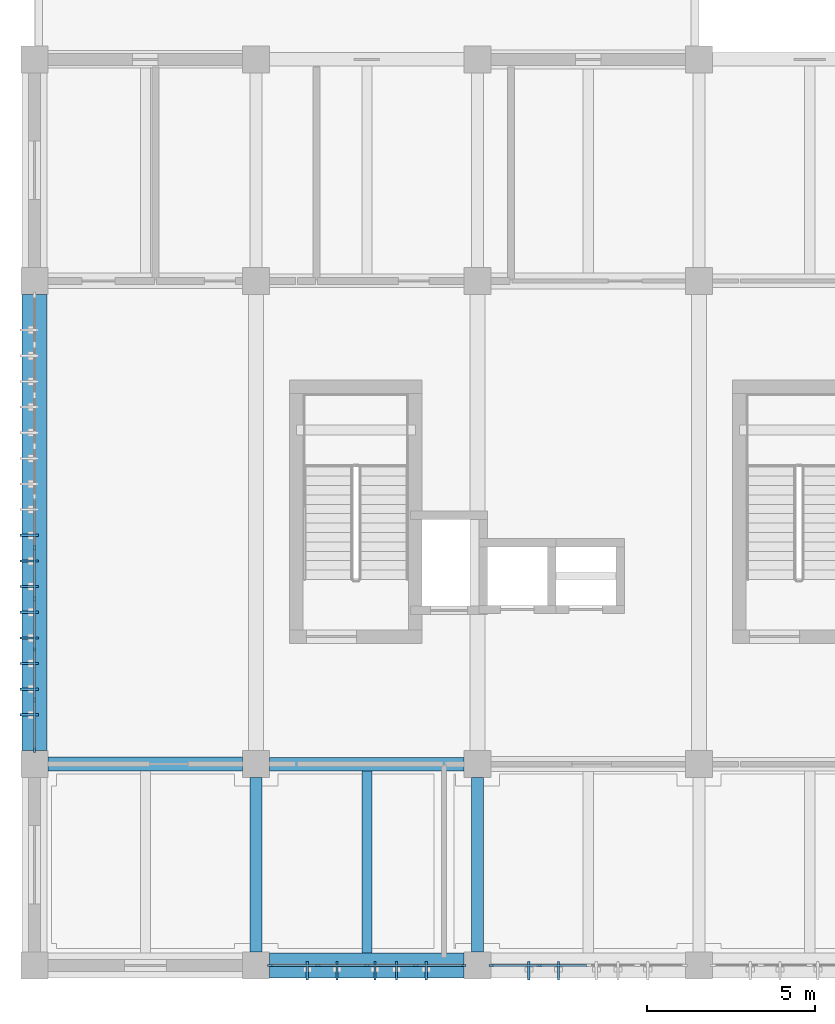
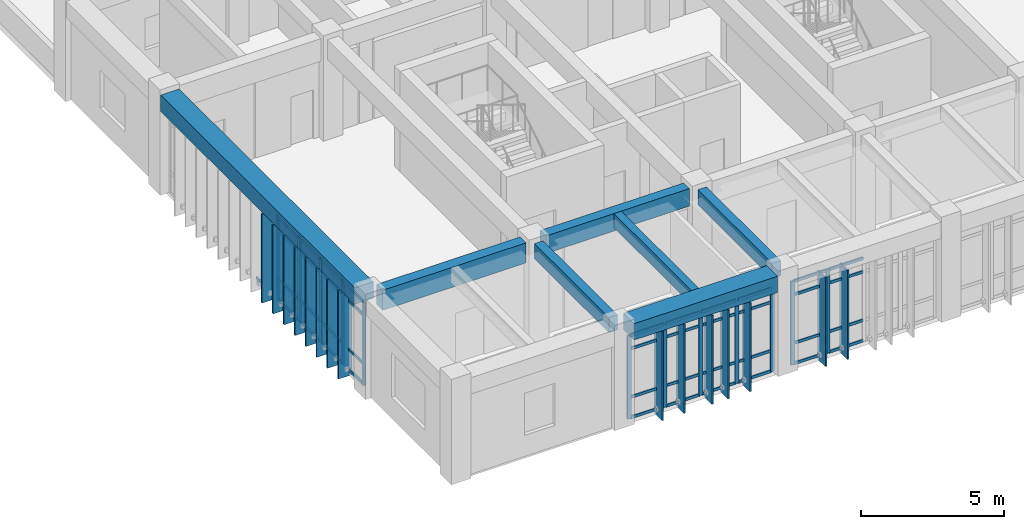
# One storey, part 2 of 18: 68 members, 7 beams, 3 elements without a shape of their own.
"""IFC4 building model written with IfcOpenShell, lengths in metres."""

import ifcopenshell
import ifcopenshell.guid

model = None  # the IFC model being written
_history = None  # IfcOwnerHistory: only IFC2X3 demands one
_inside = {}  # id of a spatial element -> (the spatial element, [elements in it])
_under = {}  # id of a project, library or spatial element -> (it, [spatial elements below it])
_declared = {}  # id of a project -> (the project, [libraries it declares])
_typed = {}  # id of a type object -> (the type object, [elements of that type])
_made_of = {}  # id of a material, layer set ... -> (it, [elements and type objects made of it])


def new_model(schema):
    """Start an empty IFC model of exactly this schema.

    Asked for "IFC4X3", IfcOpenShell would pick the latest addendum, in which some entities
    have other attributes; the version numbers below select the first issue.
    IFC2X3 requires an IfcOwnerHistory on every rooted entity: one is made here for all.
    """
    global model, _history
    if schema == "IFC4X3":
        model = ifcopenshell.file(schema_version=(4, 3, 0, 0))
    else:
        model = ifcopenshell.file(schema=schema)
    _inside.clear()
    _under.clear()
    _declared.clear()
    _typed.clear()
    _made_of.clear()
    _history = None
    if model.schema == "IFC2X3":
        org = make("IfcOrganization", Name="unknown")
        user = make(
            "IfcPersonAndOrganization",
            ThePerson=make("IfcPerson", FamilyName="unknown"),
            TheOrganization=org,
        )
        app = make(
            "IfcApplication",
            ApplicationDeveloper=org,
            Version="unknown",
            ApplicationFullName="unknown",
            ApplicationIdentifier="unknown",
        )
        _history = make(
            "IfcOwnerHistory",
            OwningUser=user,
            OwningApplication=app,
            ChangeAction="ADDED",
            CreationDate=0,
        )
    return model


def make(cls, **values):
    """One entity of the class cls with the attributes given. An attribute that is None is left unset."""
    return model.create_entity(
        cls, **{name: value for name, value in values.items() if value is not None}
    )


def rooted(cls, **values):
    """An entity with a GlobalId (a new one), such as an element, a storey or a relation."""
    return make(cls, GlobalId=ifcopenshell.guid.new(), OwnerHistory=_history, **values)


def si_unit(unit_type, name, prefix=None):
    """IfcSIUnit, for example si_unit("LENGTHUNIT", "METRE", prefix="MILLI")."""
    return make("IfcSIUnit", UnitType=unit_type, Prefix=prefix, Name=name)


def assignment(units):
    """IfcUnitAssignment: the units of a project."""
    return None if units is None else make("IfcUnitAssignment", Units=units)


def point(xyz):
    """IfcCartesianPoint."""
    return None if xyz is None else make("IfcCartesianPoint", Coordinates=xyz)


def direction(xyz):
    """IfcDirection."""
    return None if xyz is None else make("IfcDirection", DirectionRatios=xyz)


def frame(location, z_axis=None, x_axis=None):
    """IfcAxis2Placement3D, a coordinate frame: its origin and axes. An axis left out is left unset."""
    return make(
        "IfcAxis2Placement3D",
        Location=point(location),
        Axis=direction(z_axis),
        RefDirection=direction(x_axis),
    )


def frame_2d(location, x_axis=None):
    """IfcAxis2Placement2D, a coordinate frame in the plane: its origin and x axis."""
    return make(
        "IfcAxis2Placement2D", Location=point(location), RefDirection=direction(x_axis)
    )


def origin():
    """The frame at (0, 0, 0) with its axes left unset."""
    return frame((0.0, 0.0, 0.0))


def origin_2d():
    """The frame at (0, 0) in the plane with its x axis left unset."""
    return frame_2d((0.0, 0.0))


def place(relative_to, where):
    """IfcLocalPlacement: puts the frame where relative to a parent placement (None: the world)."""
    return make(
        "IfcLocalPlacement", PlacementRelTo=relative_to, RelativePlacement=where
    )


def context(
    kind, dimensions, precision=None, world=None, true_north=None, identifier=None
):
    """IfcGeometricRepresentationContext, for example the 3D "Model" context."""
    return make(
        "IfcGeometricRepresentationContext",
        ContextIdentifier=identifier,
        ContextType=kind,
        CoordinateSpaceDimension=dimensions,
        Precision=precision,
        WorldCoordinateSystem=world,
        TrueNorth=true_north,
    )


def subcontext(parent, identifier, kind, view, scale=None):
    """IfcGeometricRepresentationSubContext, for example "Body" below "Model"."""
    return make(
        "IfcGeometricRepresentationSubContext",
        ContextIdentifier=identifier,
        ContextType=kind,
        ParentContext=parent,
        TargetScale=scale,
        TargetView=view,
    )


def project(units=None, contexts=None):
    """IfcProject with its units and contexts."""
    return rooted(
        "IfcProject",
        Name="project",
        RepresentationContexts=contexts,
        UnitsInContext=assignment(units),
    )


def spatial(cls, under=None, at=None, **own):
    """A site, building, storey or space (cls), placed at a placement, below another one or the project."""
    s = rooted(cls, ObjectPlacement=at, **own)
    if under is not None:
        _under.setdefault(under.id(), (under, []))[1].append(s)
    return s


def profile(cls, at=None, kind="AREA", **sizes):
    """A parametric profile (cls). Its sizes go by their IFC names, for example OverallWidth=200.0."""
    return make(cls, ProfileType=kind, Position=at, **sizes)


def rectangle(**sizes):
    """IfcRectangleProfileDef."""
    return profile("IfcRectangleProfileDef", **sizes)


def extrude(swept, where, along, depth):
    """IfcExtrudedAreaSolid: the profile swept, set in the frame where, extruded along a direction by depth."""
    return make(
        "IfcExtrudedAreaSolid",
        SweptArea=swept,
        Position=where,
        ExtrudedDirection=direction(along),
        Depth=depth,
    )


def shape(context_of_items, identifier, shape_type, items):
    """IfcShapeRepresentation: the items that make up one representation, for example the "Body"."""
    return make(
        "IfcShapeRepresentation",
        ContextOfItems=context_of_items,
        RepresentationIdentifier=identifier,
        RepresentationType=shape_type,
        Items=items,
    )


def material(Name=None, Category=None):
    """IfcMaterial."""
    return make("IfcMaterial", Name=Name, Category=Category)


def layer(
    of_material, thickness, ventilated=None, Name=None, Category=None, Priority=None
):
    """IfcMaterialLayer: one layer of a wall or slab, of a material (None: an air gap)."""
    return make(
        "IfcMaterialLayer",
        Material=of_material,
        LayerThickness=thickness,
        IsVentilated=ventilated,
        Name=Name,
        Category=Category,
        Priority=Priority,
    )


def layer_set(layers, Name=None):
    """IfcMaterialLayerSet."""
    return make("IfcMaterialLayerSet", MaterialLayers=layers, LayerSetName=Name)


def material_profile(
    of_material, cross_section, Name=None, Category=None, Priority=None
):
    """IfcMaterialProfile: a cross section and its material."""
    return make(
        "IfcMaterialProfile",
        Name=Name,
        Material=of_material,
        Profile=cross_section,
        Priority=Priority,
        Category=Category,
    )


def profile_set(profiles, Name=None, composite=None):
    """IfcMaterialProfileSet."""
    return make(
        "IfcMaterialProfileSet",
        Name=Name,
        MaterialProfiles=profiles,
        CompositeProfile=composite,
    )


def made_of(thing, what):
    """Note that an element or type object is made of a material, layer set ...; save() writes the relation."""
    if what is not None:
        _made_of.setdefault(what.id(), (what, []))[1].append(thing)
    return thing


def type_object(cls, material=None, **own):
    """A type object (cls), such as IfcWallType, which elements share."""
    return made_of(rooted(cls, **own), material)


def element(
    cls,
    number,
    at=None,
    inside=None,
    cuts=None,
    type_object=None,
    material=None,
    context=None,
    identifier="Body",
    shape_type=None,
    held_by="IfcProductDefinitionShape",
    body=None,
    shapes=None,
    **own,
):
    """One element of the class cls, such as IfcWall. Its Tag is "e" and its number.

    at: its placement. inside: the storey or other place that contains it. cuts: it is an
    opening in that element (IfcRelVoidsElement). A single representation is given by context,
    identifier, shape_type and body (its items); several are given by shapes. held_by: the class
    of the entity that holds the representations. save() writes the other relations.
    """
    e = rooted(cls, Tag="e%d" % number, ObjectPlacement=at, **own)
    if body is not None:
        shapes = [shape(context, identifier, shape_type, body)]
    if shapes is not None:
        e.Representation = make(held_by, Representations=shapes)
    if inside is not None:
        _inside.setdefault(inside.id(), (inside, []))[1].append(e)
    if cuts is not None:
        rooted(
            "IfcRelVoidsElement", RelatingBuildingElement=cuts, RelatedOpeningElement=e
        )
    if type_object is not None:
        _typed.setdefault(type_object.id(), (type_object, []))[1].append(e)
    return made_of(e, material)


def aggregate(whole, parts):
    """IfcRelAggregates: a whole, such as a stair, and the parts it consists of."""
    return rooted("IfcRelAggregates", RelatingObject=whole, RelatedObjects=parts)


def save(model, path):
    """Write the relations noted so far, then the file.

    IfcRelAggregates (storeys below a building ...), IfcRelContainedInSpatialStructure (elements
    in a storey), IfcRelDefinesByType, IfcRelAssociatesMaterial and IfcRelDeclares: one each for
    every whole, place, type object, material and project.
    """
    for whole, parts in _under.values():
        aggregate(whole, parts)
    for where, things in _inside.values():
        rooted(
            "IfcRelContainedInSpatialStructure",
            RelatedElements=things,
            RelatingStructure=where,
        )
    for kind, things in _typed.values():
        rooted("IfcRelDefinesByType", RelatedObjects=things, RelatingType=kind)
    for what, things in _made_of.values():
        rooted("IfcRelAssociatesMaterial", RelatedObjects=things, RelatingMaterial=what)
    for by, libraries in _declared.values():
        rooted("IfcRelDeclares", RelatingContext=by, RelatedDefinitions=libraries)
    model.write(path)


model = new_model("IFC4")

# Units and contexts
model_context = context("Model", 3, precision=1e-05, world=origin(), true_north=direction((0.0, 1.0)))
body_context = subcontext(model_context, "Body", "Model", "MODEL_VIEW")
ifc_project = project(units=[si_unit("LENGTHUNIT", "METRE"), si_unit("AREAUNIT", "SQUARE_METRE"), si_unit("VOLUMEUNIT", "CUBIC_METRE"), si_unit("PLANEANGLEUNIT", "RADIAN"), si_unit("MASSUNIT", "GRAM", prefix="KILO")], contexts=[model_context])

# Site, building, storey
site_placement = place(None, origin())
site = spatial("IfcSite", under=ifc_project, at=site_placement, CompositionType="ELEMENT")
building_placement = place(site_placement, origin())
building = spatial("IfcBuilding", under=site, at=building_placement, Name="Miralva Faculty of Natural Sciences", CompositionType="ELEMENT")
storey_placement = place(building_placement, frame((0.0, 0.0, 28.5)))
storey = spatial("IfcBuildingStorey", under=building, at=storey_placement, Name="L06", CompositionType="ELEMENT", Elevation=28.5)

# Beams
ifc_material_1 = material(Name="Concrete C40/50", Category="concrete")
ifc_material_profile_1 = material_profile(ifc_material_1, rectangle(XDim=0.39990234375, YDim=0.75, at=origin_2d()), Name="RC 400x750")
ifc_profile_set_1 = profile_set([ifc_material_profile_1], Name="Concrete C40/50")
beam_type_1 = type_object("IfcBeamType", Name="BM-B03", PredefinedType="BEAM", material=ifc_profile_set_1)
beam_1_placement = place(storey_placement, frame((10.0, 9.0, 3.905029296875), z_axis=(1.0, 0.0, 0.0), x_axis=(0.0, 1.0, 0.0)))
element("IfcBeam", 1, at=beam_1_placement, inside=storey, type_object=beam_type_1, Name="Girder EW L06-6", PredefinedType="BEAM", context=body_context, shape_type="SweptSolid", body=[
    extrude(rectangle(XDim=0.39990234375, YDim=0.75, at=origin_2d()), origin(), (0.0, 0.0, 1.0), 5.800048828125),
])
ifc_material_profile_2 = material_profile(ifc_material_1, rectangle(XDim=0.35009765625, YDim=0.64990234375, at=origin_2d()), Name="RC 350x650")
ifc_profile_set_2 = profile_set([ifc_material_profile_2], Name="Concrete C40/50")
beam_type_2 = type_object("IfcBeamType", Name="BM-B05", PredefinedType="BEAM", material=ifc_profile_set_2)
for number, where, z_axis, x_axis, name in (
    (2, (9.60009765625, 3.39990234375, 3.955078125), (0.0, 1.0, 0.0), (-1.0, 0.0, 0.0), "Girder NS L06-31"),
    (3, (16.199951171875, 3.39990234375, 3.955078125), (0.0, 1.0, 0.0), (-1.0, 0.0, 0.0), "Girder NS L06-37"),
):
    element("IfcBeam", number, at=place(storey_placement, frame(where, z_axis=z_axis, x_axis=x_axis)), inside=storey, type_object=beam_type_2, Name=name, PredefinedType="BEAM", context=body_context, shape_type="SweptSolid", body=[
        extrude(rectangle(XDim=0.35009765625, YDim=0.64990234375, at=origin_2d()), origin(), (0.0, 0.0, 1.0), 5.2001953125),
    ])
ifc_material_profile_3 = material_profile(ifc_material_1, rectangle(XDim=0.419921875, YDim=0.860107421875, at=origin_2d()), Name="RC 420x860")
ifc_profile_set_3 = profile_set([ifc_material_profile_3], Name="Concrete C40/50")
beam_type_3 = type_object("IfcBeamType", Name="BM-BG12", PredefinedType="BEAM", material=ifc_profile_set_3)
beam_2_placement = place(storey_placement, frame((3.39990234375, 9.0, 3.85009765625), z_axis=(1.0, 0.0, 0.0), x_axis=(0.0, 1.0, 0.0)))
element("IfcBeam", 4, at=beam_2_placement, inside=storey, type_object=beam_type_3, Name="Girder EW L06-5", PredefinedType="BEAM", context=body_context, shape_type="SweptSolid", body=[
    extrude(rectangle(XDim=0.419921875, YDim=0.860107421875, at=origin_2d()), origin(), (0.0, 0.0, 1.0), 5.800048828125),
])
ifc_material_profile_4 = material_profile(ifc_material_1, rectangle(XDim=0.300048828125, YDim=0.60009765625, at=origin_2d()), Name="RC 300x600")
ifc_profile_set_4 = profile_set([ifc_material_profile_4], Name="Concrete C40/50")
beam_type_4 = type_object("IfcBeamType", Name="BM-J01", PredefinedType="JOIST", material=ifc_profile_set_4)
beam_3_placement = place(storey_placement, frame((12.89990234375, 3.375, 3.97998046875), z_axis=(0.0, 1.0, 0.0), x_axis=(-1.0, 0.0, 0.0)))
element("IfcBeam", 5, at=beam_3_placement, inside=storey, type_object=beam_type_4, Name="Floor joist L06-2", PredefinedType="JOIST", context=body_context, shape_type="SweptSolid", body=[
    extrude(rectangle(XDim=0.300048828125, YDim=0.60009765625, at=origin_2d()), origin(), (0.0, 0.0, 1.0), 5.425048828125),
])
ifc_material_profile_5 = material_profile(ifc_material_1, rectangle(XDim=0.75, YDim=0.699951171875, at=origin_2d()), Name="RC 750x700")
ifc_profile_set_5 = profile_set([ifc_material_profile_5], Name="Concrete C40/50")
beam_type_5 = type_object("IfcBeamType", Name="BM-SP01", PredefinedType="SPANDREL", material=ifc_profile_set_5)
beam_4_placement = place(storey_placement, frame((10.0, 3.0, 3.929931640625), z_axis=(1.0, 0.0, 0.0), x_axis=(0.0, 1.0, 0.0)))
element("IfcBeam", 6, at=beam_4_placement, inside=storey, type_object=beam_type_5, Name="Girder EW L06-2", PredefinedType="SPANDREL", context=body_context, shape_type="SweptSolid", body=[
    extrude(rectangle(XDim=0.75, YDim=0.699951171875, at=origin_2d()), origin(), (0.0, 0.0, 1.0), 5.800048828125),
])
beam_5_placement = place(storey_placement, frame((3.0, 9.39990234375, 3.929931640625), z_axis=(0.0, 1.0, 0.0), x_axis=(-1.0, 0.0, 0.0)))
element("IfcBeam", 7, at=beam_5_placement, inside=storey, type_object=beam_type_5, Name="Girder NS L06-26", PredefinedType="SPANDREL", context=body_context, shape_type="SweptSolid", body=[
    extrude(rectangle(XDim=0.75, YDim=0.699951171875, at=origin_2d()), origin(), (0.0, 0.0, 1.0), 13.60009765625),
])

# Curtain wall, members
ifc_material_2 = material(Name="Laminated solar-control glass", Category="glass")
ifc_layer = layer(ifc_material_2, 0.179931640625, Name="CW-TWR-L03")
ifc_layer_set = layer_set([ifc_layer], Name="Laminated solar-control glass")
curtain_wall_type = type_object("IfcCurtainWallType", Name="CW-TWR-L03", PredefinedType="USERDEFINED", material=ifc_layer_set)
curtain_wall_1_placement = place(storey_placement, origin())
curtain_wall_1 = element("IfcCurtainWall", 8, at=curtain_wall_1_placement, inside=storey, type_object=curtain_wall_type, Name="Curtain wall CW-14 L06-239", ObjectType="UNITISED CURTAIN WALL", PredefinedType="USERDEFINED")
ifc_material_3 = material(Name="Anodised aluminium", Category="aluminium")
ifc_material_profile_6 = material_profile(ifc_material_3, rectangle(XDim=0.06494140625, YDim=0.159912109375, at=origin_2d()), Name="MULLION 65x160")
ifc_profile_set_6 = profile_set([ifc_material_profile_6], Name="Anodised aluminium")
member_type_1 = type_object("IfcMemberType", Name="CW-M02", PredefinedType="MULLION", material=ifc_profile_set_6)
member_1_placement = place(storey_placement, frame((10.017578125, 3.0, 0.0), z_axis=(0.0, 0.0, 1.0), x_axis=(0.0, 1.0, 0.0)))
member_1 = element("IfcMember", 9, at=member_1_placement, type_object=member_type_1, Name="CW-14 mullion 1", PredefinedType="MULLION", context=body_context, shape_type="SweptSolid", body=[
    extrude(rectangle(XDim=0.06494140625, YDim=0.159912109375, at=origin_2d()), origin(), (0.0, 0.0, 1.0), 3.574951171875),
])
member_2_placement = place(storey_placement, frame((11.4423828125, 3.0, 0.0), z_axis=(0.0, 0.0, 1.0), x_axis=(0.0, 1.0, 0.0)))
member_2 = element("IfcMember", 10, at=member_2_placement, type_object=member_type_1, Name="CW-14 mullion 2", PredefinedType="MULLION", context=body_context, shape_type="SweptSolid", body=[
    extrude(rectangle(XDim=0.06494140625, YDim=0.159912109375, at=origin_2d()), origin(), (0.0, 0.0, 1.0), 3.574951171875),
])
member_3_placement = place(storey_placement, frame((12.89990234375, 3.0, 0.0), z_axis=(0.0, 0.0, 1.0), x_axis=(0.0, 1.0, 0.0)))
member_3 = element("IfcMember", 11, at=member_3_placement, type_object=member_type_1, Name="CW-14 mullion 3", PredefinedType="MULLION", context=body_context, shape_type="SweptSolid", body=[
    extrude(rectangle(XDim=0.06494140625, YDim=0.159912109375, at=origin_2d()), origin(), (0.0, 0.0, 1.0), 3.574951171875),
])
member_4_placement = place(storey_placement, frame((14.357421875, 3.0, 0.0), z_axis=(0.0, 0.0, 1.0), x_axis=(0.0, 1.0, 0.0)))
member_4 = element("IfcMember", 12, at=member_4_placement, type_object=member_type_1, Name="CW-14 mullion 4", PredefinedType="MULLION", context=body_context, shape_type="SweptSolid", body=[
    extrude(rectangle(XDim=0.06494140625, YDim=0.159912109375, at=origin_2d()), origin(), (0.0, 0.0, 1.0), 3.574951171875),
])
member_5_placement = place(storey_placement, frame((15.782470703125, 3.0, 0.0), z_axis=(0.0, 0.0, 1.0), x_axis=(0.0, 1.0, 0.0)))
member_5 = element("IfcMember", 13, at=member_5_placement, type_object=member_type_1, Name="CW-14 mullion 5", PredefinedType="MULLION", context=body_context, shape_type="SweptSolid", body=[
    extrude(rectangle(XDim=0.06494140625, YDim=0.159912109375, at=origin_2d()), origin(), (0.0, 0.0, 1.0), 3.574951171875),
])

curtain_wall_2_placement = place(storey_placement, origin())
curtain_wall_2 = element("IfcCurtainWall", 14, at=curtain_wall_2_placement, inside=storey, type_object=curtain_wall_type, Name="Curtain wall CW-14 L06-240", ObjectType="UNITISED CURTAIN WALL", PredefinedType="USERDEFINED")
member_6_placement = place(storey_placement, frame((16.617431640625, 3.0, 0.0), z_axis=(0.0, 0.0, 1.0), x_axis=(0.0, 1.0, 0.0)))
member_6 = element("IfcMember", 15, at=member_6_placement, type_object=member_type_1, Name="CW-14 mullion 1", PredefinedType="MULLION", context=body_context, shape_type="SweptSolid", body=[
    extrude(rectangle(XDim=0.06494140625, YDim=0.159912109375, at=origin_2d()), origin(), (0.0, 0.0, 1.0), 3.574951171875),
])
member_7_placement = place(storey_placement, frame((18.04248046875, 3.0, 0.0), z_axis=(0.0, 0.0, 1.0), x_axis=(0.0, 1.0, 0.0)))
member_7 = element("IfcMember", 16, at=member_7_placement, type_object=member_type_1, Name="CW-14 mullion 2", PredefinedType="MULLION", context=body_context, shape_type="SweptSolid", body=[
    extrude(rectangle(XDim=0.06494140625, YDim=0.159912109375, at=origin_2d()), origin(), (0.0, 0.0, 1.0), 3.574951171875),
])

curtain_wall_3_placement = place(storey_placement, origin())
curtain_wall_3 = element("IfcCurtainWall", 17, at=curtain_wall_3_placement, inside=storey, type_object=curtain_wall_type, Name="Curtain wall CW-14 L06-242", ObjectType="UNITISED CURTAIN WALL", PredefinedType="USERDEFINED")
member_8_placement = place(storey_placement, frame((3.0, 9.41748046875, 0.0), z_axis=(0.0, 0.0, 1.0), x_axis=(-1.0, 0.0, 0.0)))
member_8 = element("IfcMember", 18, at=member_8_placement, type_object=member_type_1, Name="CW-14 mullion 1", PredefinedType="MULLION", context=body_context, shape_type="SweptSolid", body=[
    extrude(rectangle(XDim=0.06494140625, YDim=0.159912109375, at=origin_2d()), origin(), (0.0, 0.0, 1.0), 3.574951171875),
])
member_9_placement = place(storey_placement, frame((3.0, 10.8994140625, 0.0), z_axis=(0.0, 0.0, 1.0), x_axis=(-1.0, 0.0, 0.0)))
member_9 = element("IfcMember", 19, at=member_9_placement, type_object=member_type_1, Name="CW-14 mullion 2", PredefinedType="MULLION", context=body_context, shape_type="SweptSolid", body=[
    extrude(rectangle(XDim=0.06494140625, YDim=0.159912109375, at=origin_2d()), origin(), (0.0, 0.0, 1.0), 3.574951171875),
])
member_10_placement = place(storey_placement, frame((3.0, 12.413818359375, 0.0), z_axis=(0.0, 0.0, 1.0), x_axis=(-1.0, 0.0, 0.0)))
member_10 = element("IfcMember", 20, at=member_10_placement, type_object=member_type_1, Name="CW-14 mullion 3", PredefinedType="MULLION", context=body_context, shape_type="SweptSolid", body=[
    extrude(rectangle(XDim=0.06494140625, YDim=0.159912109375, at=origin_2d()), origin(), (0.0, 0.0, 1.0), 3.574951171875),
])
member_11_placement = place(storey_placement, frame((3.0, 13.92822265625, 0.0), z_axis=(0.0, 0.0, 1.0), x_axis=(-1.0, 0.0, 0.0)))
member_11 = element("IfcMember", 21, at=member_11_placement, type_object=member_type_1, Name="CW-14 mullion 4", PredefinedType="MULLION", context=body_context, shape_type="SweptSolid", body=[
    extrude(rectangle(XDim=0.06494140625, YDim=0.159912109375, at=origin_2d()), origin(), (0.0, 0.0, 1.0), 3.574951171875),
])
member_12_placement = place(storey_placement, frame((3.0, 15.44287109375, 0.0), z_axis=(0.0, 0.0, 1.0), x_axis=(-1.0, 0.0, 0.0)))
member_12 = element("IfcMember", 22, at=member_12_placement, type_object=member_type_1, Name="CW-14 mullion 5", PredefinedType="MULLION", context=body_context, shape_type="SweptSolid", body=[
    extrude(rectangle(XDim=0.06494140625, YDim=0.159912109375, at=origin_2d()), origin(), (0.0, 0.0, 1.0), 3.574951171875),
])

# Member
ifc_material_profile_7 = material_profile(ifc_material_3, rectangle(XDim=0.06005859375, YDim=0.1201171875, at=origin_2d()), Name="TRANSOM 60x120")
ifc_profile_set_7 = profile_set([ifc_material_profile_7], Name="Anodised aluminium")
member_type_2 = type_object("IfcMemberType", Name="CW-T02", PredefinedType="USERDEFINED", material=ifc_profile_set_7)
member_13_placement = place(storey_placement, frame((10.050048828125, 3.0, 0.030029296875), z_axis=(1.0, 0.0, 0.0), x_axis=(0.0, 1.0, 0.0)))
member_13 = element("IfcMember", 23, at=member_13_placement, type_object=member_type_2, Name="CW-14 transom 1.1", ObjectType="TRANSOM", PredefinedType="USERDEFINED", context=body_context, shape_type="SweptSolid", body=[
    extrude(rectangle(XDim=0.06005859375, YDim=0.1201171875, at=origin_2d()), origin(), (0.0, 0.0, 1.0), 1.35986328125),
])

member_14_placement = place(storey_placement, frame((10.050048828125, 3.0, 0.89990234375), z_axis=(1.0, 0.0, 0.0), x_axis=(0.0, 1.0, 0.0)))
member_14 = element("IfcMember", 24, at=member_14_placement, type_object=member_type_2, Name="CW-14 transom 1.2", ObjectType="TRANSOM", PredefinedType="USERDEFINED", context=body_context, shape_type="SweptSolid", body=[
    extrude(rectangle(XDim=0.06005859375, YDim=0.1201171875, at=origin_2d()), origin(), (0.0, 0.0, 1.0), 1.35986328125),
])

member_15_placement = place(storey_placement, frame((10.050048828125, 3.0, 2.97509765625), z_axis=(1.0, 0.0, 0.0), x_axis=(0.0, 1.0, 0.0)))
member_15 = element("IfcMember", 25, at=member_15_placement, type_object=member_type_2, Name="CW-14 transom 1.3", ObjectType="TRANSOM", PredefinedType="USERDEFINED", context=body_context, shape_type="SweptSolid", body=[
    extrude(rectangle(XDim=0.06005859375, YDim=0.1201171875, at=origin_2d()), origin(), (0.0, 0.0, 1.0), 1.35986328125),
])

member_16_placement = place(storey_placement, frame((10.050048828125, 3.0, 3.544921875), z_axis=(1.0, 0.0, 0.0), x_axis=(0.0, 1.0, 0.0)))
member_16 = element("IfcMember", 26, at=member_16_placement, type_object=member_type_2, Name="CW-14 transom 1.4", ObjectType="TRANSOM", PredefinedType="USERDEFINED", context=body_context, shape_type="SweptSolid", body=[
    extrude(rectangle(XDim=0.06005859375, YDim=0.1201171875, at=origin_2d()), origin(), (0.0, 0.0, 1.0), 1.35986328125),
])

member_17_placement = place(storey_placement, frame((11.47509765625, 3.0, 0.030029296875), z_axis=(1.0, 0.0, 0.0), x_axis=(0.0, 1.0, 0.0)))
member_17 = element("IfcMember", 27, at=member_17_placement, type_object=member_type_2, Name="CW-14 transom 2.1", ObjectType="TRANSOM", PredefinedType="USERDEFINED", context=body_context, shape_type="SweptSolid", body=[
    extrude(rectangle(XDim=0.06005859375, YDim=0.1201171875, at=origin_2d()), origin(), (0.0, 0.0, 1.0), 1.392333984375),
])

member_18_placement = place(storey_placement, frame((11.47509765625, 3.0, 0.89990234375), z_axis=(1.0, 0.0, 0.0), x_axis=(0.0, 1.0, 0.0)))
member_18 = element("IfcMember", 28, at=member_18_placement, type_object=member_type_2, Name="CW-14 transom 2.2", ObjectType="TRANSOM", PredefinedType="USERDEFINED", context=body_context, shape_type="SweptSolid", body=[
    extrude(rectangle(XDim=0.06005859375, YDim=0.1201171875, at=origin_2d()), origin(), (0.0, 0.0, 1.0), 1.392333984375),
])

member_19_placement = place(storey_placement, frame((11.47509765625, 3.0, 2.97509765625), z_axis=(1.0, 0.0, 0.0), x_axis=(0.0, 1.0, 0.0)))
member_19 = element("IfcMember", 29, at=member_19_placement, type_object=member_type_2, Name="CW-14 transom 2.3", ObjectType="TRANSOM", PredefinedType="USERDEFINED", context=body_context, shape_type="SweptSolid", body=[
    extrude(rectangle(XDim=0.06005859375, YDim=0.1201171875, at=origin_2d()), origin(), (0.0, 0.0, 1.0), 1.392333984375),
])

member_20_placement = place(storey_placement, frame((11.47509765625, 3.0, 3.544921875), z_axis=(1.0, 0.0, 0.0), x_axis=(0.0, 1.0, 0.0)))
member_20 = element("IfcMember", 30, at=member_20_placement, type_object=member_type_2, Name="CW-14 transom 2.4", ObjectType="TRANSOM", PredefinedType="USERDEFINED", context=body_context, shape_type="SweptSolid", body=[
    extrude(rectangle(XDim=0.06005859375, YDim=0.1201171875, at=origin_2d()), origin(), (0.0, 0.0, 1.0), 1.392333984375),
])

member_21_placement = place(storey_placement, frame((12.9326171875, 3.0, 0.030029296875), z_axis=(1.0, 0.0, 0.0), x_axis=(0.0, 1.0, 0.0)))
member_21 = element("IfcMember", 31, at=member_21_placement, type_object=member_type_2, Name="CW-14 transom 3.1", ObjectType="TRANSOM", PredefinedType="USERDEFINED", context=body_context, shape_type="SweptSolid", body=[
    extrude(rectangle(XDim=0.06005859375, YDim=0.1201171875, at=origin_2d()), origin(), (0.0, 0.0, 1.0), 1.392333984375),
])

member_22_placement = place(storey_placement, frame((12.9326171875, 3.0, 0.89990234375), z_axis=(1.0, 0.0, 0.0), x_axis=(0.0, 1.0, 0.0)))
member_22 = element("IfcMember", 32, at=member_22_placement, type_object=member_type_2, Name="CW-14 transom 3.2", ObjectType="TRANSOM", PredefinedType="USERDEFINED", context=body_context, shape_type="SweptSolid", body=[
    extrude(rectangle(XDim=0.06005859375, YDim=0.1201171875, at=origin_2d()), origin(), (0.0, 0.0, 1.0), 1.392333984375),
])

member_23_placement = place(storey_placement, frame((12.9326171875, 3.0, 2.97509765625), z_axis=(1.0, 0.0, 0.0), x_axis=(0.0, 1.0, 0.0)))
member_23 = element("IfcMember", 33, at=member_23_placement, type_object=member_type_2, Name="CW-14 transom 3.3", ObjectType="TRANSOM", PredefinedType="USERDEFINED", context=body_context, shape_type="SweptSolid", body=[
    extrude(rectangle(XDim=0.06005859375, YDim=0.1201171875, at=origin_2d()), origin(), (0.0, 0.0, 1.0), 1.392333984375),
])

member_24_placement = place(storey_placement, frame((12.9326171875, 3.0, 3.544921875), z_axis=(1.0, 0.0, 0.0), x_axis=(0.0, 1.0, 0.0)))
member_24 = element("IfcMember", 34, at=member_24_placement, type_object=member_type_2, Name="CW-14 transom 3.4", ObjectType="TRANSOM", PredefinedType="USERDEFINED", context=body_context, shape_type="SweptSolid", body=[
    extrude(rectangle(XDim=0.06005859375, YDim=0.1201171875, at=origin_2d()), origin(), (0.0, 0.0, 1.0), 1.392333984375),
])

member_25_placement = place(storey_placement, frame((14.389892578125, 3.0, 0.030029296875), z_axis=(1.0, 0.0, 0.0), x_axis=(0.0, 1.0, 0.0)))
member_25 = element("IfcMember", 35, at=member_25_placement, type_object=member_type_2, Name="CW-14 transom 4.1", ObjectType="TRANSOM", PredefinedType="USERDEFINED", context=body_context, shape_type="SweptSolid", body=[
    extrude(rectangle(XDim=0.06005859375, YDim=0.1201171875, at=origin_2d()), origin(), (0.0, 0.0, 1.0), 1.360107421875),
])

member_26_placement = place(storey_placement, frame((14.389892578125, 3.0, 0.89990234375), z_axis=(1.0, 0.0, 0.0), x_axis=(0.0, 1.0, 0.0)))
member_26 = element("IfcMember", 36, at=member_26_placement, type_object=member_type_2, Name="CW-14 transom 4.2", ObjectType="TRANSOM", PredefinedType="USERDEFINED", context=body_context, shape_type="SweptSolid", body=[
    extrude(rectangle(XDim=0.06005859375, YDim=0.1201171875, at=origin_2d()), origin(), (0.0, 0.0, 1.0), 1.360107421875),
])

member_27_placement = place(storey_placement, frame((14.389892578125, 3.0, 2.97509765625), z_axis=(1.0, 0.0, 0.0), x_axis=(0.0, 1.0, 0.0)))
member_27 = element("IfcMember", 37, at=member_27_placement, type_object=member_type_2, Name="CW-14 transom 4.3", ObjectType="TRANSOM", PredefinedType="USERDEFINED", context=body_context, shape_type="SweptSolid", body=[
    extrude(rectangle(XDim=0.06005859375, YDim=0.1201171875, at=origin_2d()), origin(), (0.0, 0.0, 1.0), 1.360107421875),
])

member_28_placement = place(storey_placement, frame((14.389892578125, 3.0, 3.544921875), z_axis=(1.0, 0.0, 0.0), x_axis=(0.0, 1.0, 0.0)))
member_28 = element("IfcMember", 38, at=member_28_placement, type_object=member_type_2, Name="CW-14 transom 4.4", ObjectType="TRANSOM", PredefinedType="USERDEFINED", context=body_context, shape_type="SweptSolid", body=[
    extrude(rectangle(XDim=0.06005859375, YDim=0.1201171875, at=origin_2d()), origin(), (0.0, 0.0, 1.0), 1.360107421875),
])

aggregate(curtain_wall_1, [member_1, member_2, member_3, member_4, member_5, member_13, member_14, member_15, member_16, member_17, member_18, member_19, member_20, member_21, member_22, member_23, member_24, member_25, member_26, member_27, member_28])

member_29_placement = place(storey_placement, frame((16.64990234375, 3.0, 0.030029296875), z_axis=(1.0, 0.0, 0.0), x_axis=(0.0, 1.0, 0.0)))
member_29 = element("IfcMember", 39, at=member_29_placement, type_object=member_type_2, Name="CW-14 transom 1.1", ObjectType="TRANSOM", PredefinedType="USERDEFINED", context=body_context, shape_type="SweptSolid", body=[
    extrude(rectangle(XDim=0.06005859375, YDim=0.1201171875, at=origin_2d()), origin(), (0.0, 0.0, 1.0), 1.360107421875),
])

member_30_placement = place(storey_placement, frame((16.64990234375, 3.0, 0.89990234375), z_axis=(1.0, 0.0, 0.0), x_axis=(0.0, 1.0, 0.0)))
member_30 = element("IfcMember", 40, at=member_30_placement, type_object=member_type_2, Name="CW-14 transom 1.2", ObjectType="TRANSOM", PredefinedType="USERDEFINED", context=body_context, shape_type="SweptSolid", body=[
    extrude(rectangle(XDim=0.06005859375, YDim=0.1201171875, at=origin_2d()), origin(), (0.0, 0.0, 1.0), 1.360107421875),
])

member_31_placement = place(storey_placement, frame((16.64990234375, 3.0, 2.97509765625), z_axis=(1.0, 0.0, 0.0), x_axis=(0.0, 1.0, 0.0)))
member_31 = element("IfcMember", 41, at=member_31_placement, type_object=member_type_2, Name="CW-14 transom 1.3", ObjectType="TRANSOM", PredefinedType="USERDEFINED", context=body_context, shape_type="SweptSolid", body=[
    extrude(rectangle(XDim=0.06005859375, YDim=0.1201171875, at=origin_2d()), origin(), (0.0, 0.0, 1.0), 1.360107421875),
])

member_32_placement = place(storey_placement, frame((16.64990234375, 3.0, 3.544921875), z_axis=(1.0, 0.0, 0.0), x_axis=(0.0, 1.0, 0.0)))
member_32 = element("IfcMember", 42, at=member_32_placement, type_object=member_type_2, Name="CW-14 transom 1.4", ObjectType="TRANSOM", PredefinedType="USERDEFINED", context=body_context, shape_type="SweptSolid", body=[
    extrude(rectangle(XDim=0.06005859375, YDim=0.1201171875, at=origin_2d()), origin(), (0.0, 0.0, 1.0), 1.360107421875),
])

member_33_placement = place(storey_placement, frame((18.074951171875, 3.0, 0.030029296875), z_axis=(1.0, 0.0, 0.0), x_axis=(0.0, 1.0, 0.0)))
member_33 = element("IfcMember", 43, at=member_33_placement, type_object=member_type_2, Name="CW-14 transom 2.1", ObjectType="TRANSOM", PredefinedType="USERDEFINED", context=body_context, shape_type="SweptSolid", body=[
    extrude(rectangle(XDim=0.06005859375, YDim=0.1201171875, at=origin_2d()), origin(), (0.0, 0.0, 1.0), 1.392578125),
])

member_34_placement = place(storey_placement, frame((18.074951171875, 3.0, 0.89990234375), z_axis=(1.0, 0.0, 0.0), x_axis=(0.0, 1.0, 0.0)))
member_34 = element("IfcMember", 44, at=member_34_placement, type_object=member_type_2, Name="CW-14 transom 2.2", ObjectType="TRANSOM", PredefinedType="USERDEFINED", context=body_context, shape_type="SweptSolid", body=[
    extrude(rectangle(XDim=0.06005859375, YDim=0.1201171875, at=origin_2d()), origin(), (0.0, 0.0, 1.0), 1.392578125),
])

member_35_placement = place(storey_placement, frame((18.074951171875, 3.0, 2.97509765625), z_axis=(1.0, 0.0, 0.0), x_axis=(0.0, 1.0, 0.0)))
member_35 = element("IfcMember", 45, at=member_35_placement, type_object=member_type_2, Name="CW-14 transom 2.3", ObjectType="TRANSOM", PredefinedType="USERDEFINED", context=body_context, shape_type="SweptSolid", body=[
    extrude(rectangle(XDim=0.06005859375, YDim=0.1201171875, at=origin_2d()), origin(), (0.0, 0.0, 1.0), 1.392578125),
])

member_36_placement = place(storey_placement, frame((18.074951171875, 3.0, 3.544921875), z_axis=(1.0, 0.0, 0.0), x_axis=(0.0, 1.0, 0.0)))
member_36 = element("IfcMember", 46, at=member_36_placement, type_object=member_type_2, Name="CW-14 transom 2.4", ObjectType="TRANSOM", PredefinedType="USERDEFINED", context=body_context, shape_type="SweptSolid", body=[
    extrude(rectangle(XDim=0.06005859375, YDim=0.1201171875, at=origin_2d()), origin(), (0.0, 0.0, 1.0), 1.392578125),
])

aggregate(curtain_wall_2, [member_6, member_7, member_29, member_30, member_31, member_32, member_33, member_34, member_35, member_36])

member_37_placement = place(storey_placement, frame((3.0, 9.449951171875, 0.030029296875), z_axis=(0.0, 1.0, 0.0), x_axis=(-1.0, 0.0, 0.0)))
member_37 = element("IfcMember", 47, at=member_37_placement, type_object=member_type_2, Name="CW-14 transom 1.1", ObjectType="TRANSOM", PredefinedType="USERDEFINED", context=body_context, shape_type="SweptSolid", body=[
    extrude(rectangle(XDim=0.06005859375, YDim=0.1201171875, at=origin_2d()), origin(), (0.0, 0.0, 1.0), 1.4169921875),
])

member_38_placement = place(storey_placement, frame((3.0, 9.449951171875, 0.89990234375), z_axis=(0.0, 1.0, 0.0), x_axis=(-1.0, 0.0, 0.0)))
member_38 = element("IfcMember", 48, at=member_38_placement, type_object=member_type_2, Name="CW-14 transom 1.2", ObjectType="TRANSOM", PredefinedType="USERDEFINED", context=body_context, shape_type="SweptSolid", body=[
    extrude(rectangle(XDim=0.06005859375, YDim=0.1201171875, at=origin_2d()), origin(), (0.0, 0.0, 1.0), 1.4169921875),
])

member_39_placement = place(storey_placement, frame((3.0, 9.449951171875, 2.97509765625), z_axis=(0.0, 1.0, 0.0), x_axis=(-1.0, 0.0, 0.0)))
member_39 = element("IfcMember", 49, at=member_39_placement, type_object=member_type_2, Name="CW-14 transom 1.3", ObjectType="TRANSOM", PredefinedType="USERDEFINED", context=body_context, shape_type="SweptSolid", body=[
    extrude(rectangle(XDim=0.06005859375, YDim=0.1201171875, at=origin_2d()), origin(), (0.0, 0.0, 1.0), 1.4169921875),
])

member_40_placement = place(storey_placement, frame((3.0, 9.449951171875, 3.544921875), z_axis=(0.0, 1.0, 0.0), x_axis=(-1.0, 0.0, 0.0)))
member_40 = element("IfcMember", 50, at=member_40_placement, type_object=member_type_2, Name="CW-14 transom 1.4", ObjectType="TRANSOM", PredefinedType="USERDEFINED", context=body_context, shape_type="SweptSolid", body=[
    extrude(rectangle(XDim=0.06005859375, YDim=0.1201171875, at=origin_2d()), origin(), (0.0, 0.0, 1.0), 1.4169921875),
])

member_41_placement = place(storey_placement, frame((3.0, 10.931884765625, 0.030029296875), z_axis=(0.0, 1.0, 0.0), x_axis=(-1.0, 0.0, 0.0)))
member_41 = element("IfcMember", 51, at=member_41_placement, type_object=member_type_2, Name="CW-14 transom 2.1", ObjectType="TRANSOM", PredefinedType="USERDEFINED", context=body_context, shape_type="SweptSolid", body=[
    extrude(rectangle(XDim=0.06005859375, YDim=0.1201171875, at=origin_2d()), origin(), (0.0, 0.0, 1.0), 1.449462890625),
])

member_42_placement = place(storey_placement, frame((3.0, 10.931884765625, 0.89990234375), z_axis=(0.0, 1.0, 0.0), x_axis=(-1.0, 0.0, 0.0)))
member_42 = element("IfcMember", 52, at=member_42_placement, type_object=member_type_2, Name="CW-14 transom 2.2", ObjectType="TRANSOM", PredefinedType="USERDEFINED", context=body_context, shape_type="SweptSolid", body=[
    extrude(rectangle(XDim=0.06005859375, YDim=0.1201171875, at=origin_2d()), origin(), (0.0, 0.0, 1.0), 1.449462890625),
])

member_43_placement = place(storey_placement, frame((3.0, 10.931884765625, 2.97509765625), z_axis=(0.0, 1.0, 0.0), x_axis=(-1.0, 0.0, 0.0)))
member_43 = element("IfcMember", 53, at=member_43_placement, type_object=member_type_2, Name="CW-14 transom 2.3", ObjectType="TRANSOM", PredefinedType="USERDEFINED", context=body_context, shape_type="SweptSolid", body=[
    extrude(rectangle(XDim=0.06005859375, YDim=0.1201171875, at=origin_2d()), origin(), (0.0, 0.0, 1.0), 1.449462890625),
])

member_44_placement = place(storey_placement, frame((3.0, 10.931884765625, 3.544921875), z_axis=(0.0, 1.0, 0.0), x_axis=(-1.0, 0.0, 0.0)))
member_44 = element("IfcMember", 54, at=member_44_placement, type_object=member_type_2, Name="CW-14 transom 2.4", ObjectType="TRANSOM", PredefinedType="USERDEFINED", context=body_context, shape_type="SweptSolid", body=[
    extrude(rectangle(XDim=0.06005859375, YDim=0.1201171875, at=origin_2d()), origin(), (0.0, 0.0, 1.0), 1.449462890625),
])

member_45_placement = place(storey_placement, frame((3.0, 12.4462890625, 0.030029296875), z_axis=(0.0, 1.0, 0.0), x_axis=(-1.0, 0.0, 0.0)))
member_45 = element("IfcMember", 55, at=member_45_placement, type_object=member_type_2, Name="CW-14 transom 3.1", ObjectType="TRANSOM", PredefinedType="USERDEFINED", context=body_context, shape_type="SweptSolid", body=[
    extrude(rectangle(XDim=0.06005859375, YDim=0.1201171875, at=origin_2d()), origin(), (0.0, 0.0, 1.0), 1.449462890625),
])

member_46_placement = place(storey_placement, frame((3.0, 12.4462890625, 0.89990234375), z_axis=(0.0, 1.0, 0.0), x_axis=(-1.0, 0.0, 0.0)))
member_46 = element("IfcMember", 56, at=member_46_placement, type_object=member_type_2, Name="CW-14 transom 3.2", ObjectType="TRANSOM", PredefinedType="USERDEFINED", context=body_context, shape_type="SweptSolid", body=[
    extrude(rectangle(XDim=0.06005859375, YDim=0.1201171875, at=origin_2d()), origin(), (0.0, 0.0, 1.0), 1.449462890625),
])

member_47_placement = place(storey_placement, frame((3.0, 12.4462890625, 2.97509765625), z_axis=(0.0, 1.0, 0.0), x_axis=(-1.0, 0.0, 0.0)))
member_47 = element("IfcMember", 57, at=member_47_placement, type_object=member_type_2, Name="CW-14 transom 3.3", ObjectType="TRANSOM", PredefinedType="USERDEFINED", context=body_context, shape_type="SweptSolid", body=[
    extrude(rectangle(XDim=0.06005859375, YDim=0.1201171875, at=origin_2d()), origin(), (0.0, 0.0, 1.0), 1.449462890625),
])

member_48_placement = place(storey_placement, frame((3.0, 12.4462890625, 3.544921875), z_axis=(0.0, 1.0, 0.0), x_axis=(-1.0, 0.0, 0.0)))
member_48 = element("IfcMember", 58, at=member_48_placement, type_object=member_type_2, Name="CW-14 transom 3.4", ObjectType="TRANSOM", PredefinedType="USERDEFINED", context=body_context, shape_type="SweptSolid", body=[
    extrude(rectangle(XDim=0.06005859375, YDim=0.1201171875, at=origin_2d()), origin(), (0.0, 0.0, 1.0), 1.449462890625),
])

member_49_placement = place(storey_placement, frame((3.0, 13.9609375, 0.030029296875), z_axis=(0.0, 1.0, 0.0), x_axis=(-1.0, 0.0, 0.0)))
member_49 = element("IfcMember", 59, at=member_49_placement, type_object=member_type_2, Name="CW-14 transom 4.1", ObjectType="TRANSOM", PredefinedType="USERDEFINED", context=body_context, shape_type="SweptSolid", body=[
    extrude(rectangle(XDim=0.06005859375, YDim=0.1201171875, at=origin_2d()), origin(), (0.0, 0.0, 1.0), 1.44921875),
])

member_50_placement = place(storey_placement, frame((3.0, 13.9609375, 0.89990234375), z_axis=(0.0, 1.0, 0.0), x_axis=(-1.0, 0.0, 0.0)))
member_50 = element("IfcMember", 60, at=member_50_placement, type_object=member_type_2, Name="CW-14 transom 4.2", ObjectType="TRANSOM", PredefinedType="USERDEFINED", context=body_context, shape_type="SweptSolid", body=[
    extrude(rectangle(XDim=0.06005859375, YDim=0.1201171875, at=origin_2d()), origin(), (0.0, 0.0, 1.0), 1.44921875),
])

member_51_placement = place(storey_placement, frame((3.0, 13.9609375, 2.97509765625), z_axis=(0.0, 1.0, 0.0), x_axis=(-1.0, 0.0, 0.0)))
member_51 = element("IfcMember", 61, at=member_51_placement, type_object=member_type_2, Name="CW-14 transom 4.3", ObjectType="TRANSOM", PredefinedType="USERDEFINED", context=body_context, shape_type="SweptSolid", body=[
    extrude(rectangle(XDim=0.06005859375, YDim=0.1201171875, at=origin_2d()), origin(), (0.0, 0.0, 1.0), 1.44921875),
])

member_52_placement = place(storey_placement, frame((3.0, 13.9609375, 3.544921875), z_axis=(0.0, 1.0, 0.0), x_axis=(-1.0, 0.0, 0.0)))
member_52 = element("IfcMember", 62, at=member_52_placement, type_object=member_type_2, Name="CW-14 transom 4.4", ObjectType="TRANSOM", PredefinedType="USERDEFINED", context=body_context, shape_type="SweptSolid", body=[
    extrude(rectangle(XDim=0.06005859375, YDim=0.1201171875, at=origin_2d()), origin(), (0.0, 0.0, 1.0), 1.44921875),
])

member_53_placement = place(storey_placement, frame((3.0, 15.475341796875, 0.030029296875), z_axis=(0.0, 1.0, 0.0), x_axis=(-1.0, 0.0, 0.0)))
member_53 = element("IfcMember", 63, at=member_53_placement, type_object=member_type_2, Name="CW-14 transom 5.1", ObjectType="TRANSOM", PredefinedType="USERDEFINED", context=body_context, shape_type="SweptSolid", body=[
    extrude(rectangle(XDim=0.06005859375, YDim=0.1201171875, at=origin_2d()), origin(), (0.0, 0.0, 1.0), 1.449462890625),
])

aggregate(curtain_wall_3, [member_8, member_9, member_10, member_11, member_12, member_37, member_38, member_39, member_40, member_41, member_42, member_43, member_44, member_45, member_46, member_47, member_48, member_49, member_50, member_51, member_52, member_53])

# Members
ifc_material_profile_8 = material_profile(ifc_material_3, rectangle(XDim=0.06494140625, YDim=0.550048828125, at=origin_2d()), Name="FIN 550x65")
ifc_profile_set_8 = profile_set([ifc_material_profile_8], Name="Anodised aluminium")
member_type_3 = type_object("IfcMemberType", Name="MEM-SF03", PredefinedType="USERDEFINED", material=ifc_profile_set_8)
for number, where, z_axis, x_axis, name in (
    (64, (11.1279296875, 2.840087890625, -0.219970703125), (0.0, 0.0, 1.0), (1.0, 0.0, 0.0), "Solar shading fin SF-03 L06-369"),
    (65, (12.013916015625, 2.840087890625, -0.219970703125), (0.0, 0.0, 1.0), (1.0, 0.0, 0.0), "Solar shading fin SF-03 L06-370"),
    (66, (13.139892578125, 2.840087890625, -0.219970703125), (0.0, 0.0, 1.0), (1.0, 0.0, 0.0), "Solar shading fin SF-03 L06-371"),
    (67, (13.785888671875, 2.840087890625, -0.219970703125), (0.0, 0.0, 1.0), (1.0, 0.0, 0.0), "Solar shading fin SF-03 L06-372"),
    (68, (14.672119140625, 2.840087890625, -0.219970703125), (0.0, 0.0, 1.0), (1.0, 0.0, 0.0), "Solar shading fin SF-03 L06-373"),
    (69, (17.72802734375, 2.840087890625, -0.219970703125), (0.0, 0.0, 1.0), (1.0, 0.0, 0.0), "Solar shading fin SF-03 L06-374"),
    (70, (18.614013671875, 2.840087890625, -0.219970703125), (0.0, 0.0, 1.0), (1.0, 0.0, 0.0), "Solar shading fin SF-03 L06-375"),
    (71, (2.840087890625, 10.46728515625, -0.219970703125), (0.0, 0.0, 1.0), (0.0, -1.0, 0.0), "Solar shading fin SF-03 L06-384"),
    (72, (2.840087890625, 11.231689453125, -0.219970703125), (0.0, 0.0, 1.0), (0.0, -1.0, 0.0), "Solar shading fin SF-03 L06-385"),
    (73, (2.840087890625, 11.995849609375, -0.219970703125), (0.0, 0.0, 1.0), (0.0, -1.0, 0.0), "Solar shading fin SF-03 L06-386"),
    (74, (2.840087890625, 12.76025390625, -0.219970703125), (0.0, 0.0, 1.0), (0.0, -1.0, 0.0), "Solar shading fin SF-03 L06-387"),
    (75, (2.840087890625, 13.524658203125, -0.219970703125), (0.0, 0.0, 1.0), (0.0, -1.0, 0.0), "Solar shading fin SF-03 L06-388"),
    (76, (2.840087890625, 14.2890625, -0.219970703125), (0.0, 0.0, 1.0), (0.0, -1.0, 0.0), "Solar shading fin SF-03 L06-389"),
    (77, (2.840087890625, 15.053466796875, -0.219970703125), (0.0, 0.0, 1.0), (0.0, -1.0, 0.0), "Solar shading fin SF-03 L06-390"),
    (78, (2.840087890625, 15.81787109375, -0.219970703125), (0.0, 0.0, 1.0), (0.0, -1.0, 0.0), "Solar shading fin SF-03 L06-391"),
):
    element("IfcMember", number, at=place(storey_placement, frame(where, z_axis=z_axis, x_axis=x_axis)), inside=storey, type_object=member_type_3, Name=name, ObjectType="SUNSHADE", PredefinedType="USERDEFINED", context=body_context, shape_type="SweptSolid", body=[
        extrude(rectangle(XDim=0.06494140625, YDim=0.550048828125, at=origin_2d()), origin(), (0.0, 0.0, 1.0), 3.794921875),
    ])

save(model, "model.ifc")
